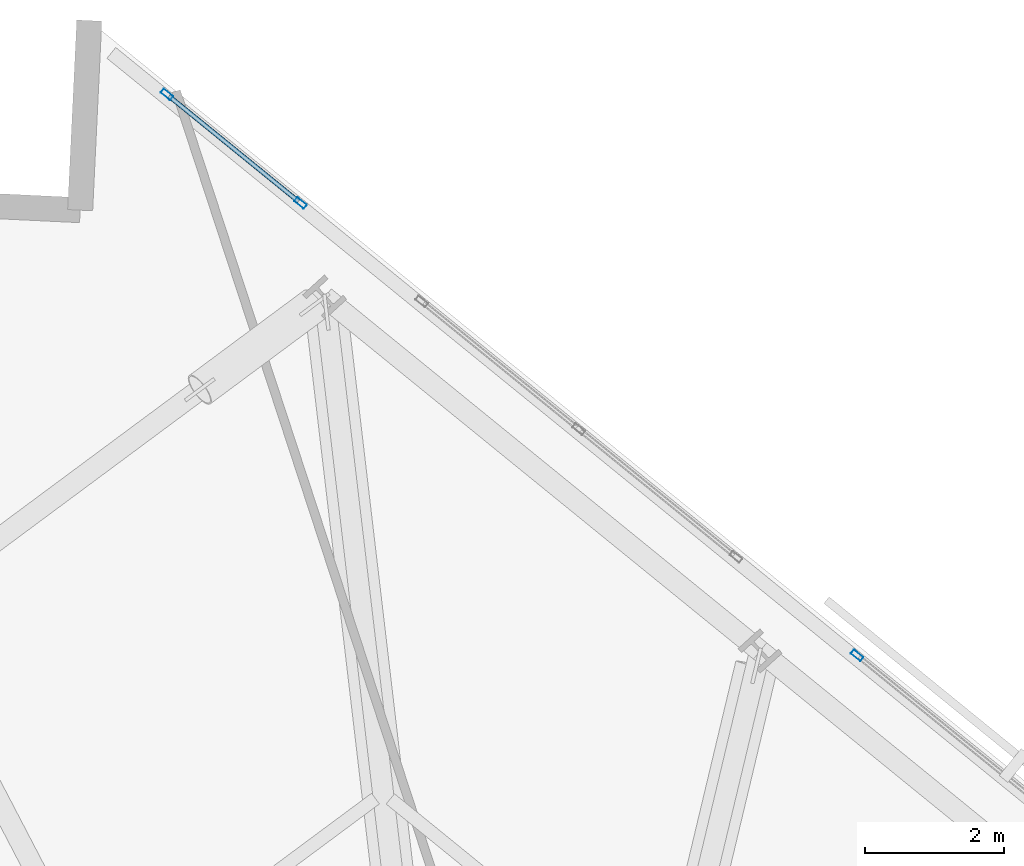
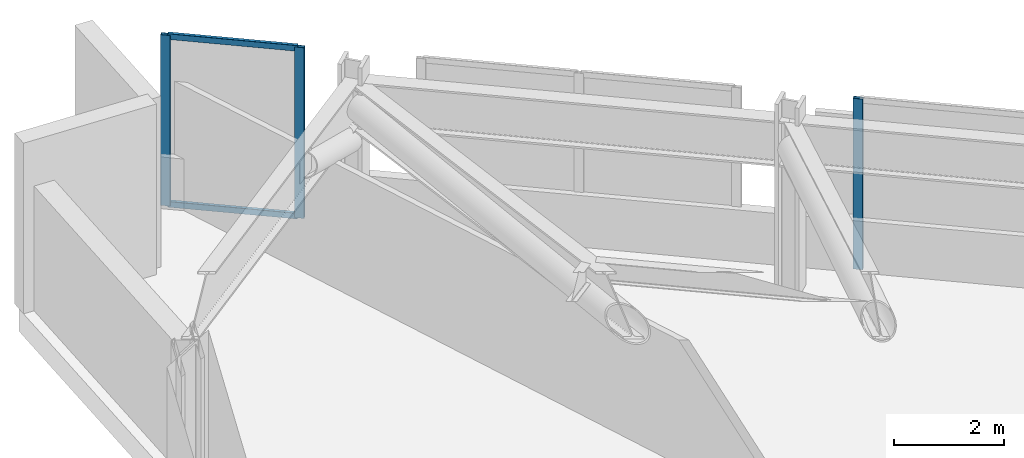
# One storey, part 11 of 18: 5 members, 2 elements without a shape of their own.
"""IFC4 building model written with IfcOpenShell, lengths in metres."""

import ifcopenshell
import ifcopenshell.guid

model = None  # the IFC model being written
_history = None  # IfcOwnerHistory: only IFC2X3 demands one
_inside = {}  # id of a spatial element -> (the spatial element, [elements in it])
_under = {}  # id of a project, library or spatial element -> (it, [spatial elements below it])
_declared = {}  # id of a project -> (the project, [libraries it declares])
_typed = {}  # id of a type object -> (the type object, [elements of that type])
_made_of = {}  # id of a material, layer set ... -> (it, [elements and type objects made of it])


def new_model(schema):
    """Start an empty IFC model of exactly this schema.

    Asked for "IFC4X3", IfcOpenShell would pick the latest addendum, in which some entities
    have other attributes; the version numbers below select the first issue.
    IFC2X3 requires an IfcOwnerHistory on every rooted entity: one is made here for all.
    """
    global model, _history
    if schema == "IFC4X3":
        model = ifcopenshell.file(schema_version=(4, 3, 0, 0))
    else:
        model = ifcopenshell.file(schema=schema)
    _inside.clear()
    _under.clear()
    _declared.clear()
    _typed.clear()
    _made_of.clear()
    _history = None
    if model.schema == "IFC2X3":
        org = make("IfcOrganization", Name="unknown")
        user = make(
            "IfcPersonAndOrganization",
            ThePerson=make("IfcPerson", FamilyName="unknown"),
            TheOrganization=org,
        )
        app = make(
            "IfcApplication",
            ApplicationDeveloper=org,
            Version="unknown",
            ApplicationFullName="unknown",
            ApplicationIdentifier="unknown",
        )
        _history = make(
            "IfcOwnerHistory",
            OwningUser=user,
            OwningApplication=app,
            ChangeAction="ADDED",
            CreationDate=0,
        )
    return model


def make(cls, **values):
    """One entity of the class cls with the attributes given. An attribute that is None is left unset."""
    return model.create_entity(
        cls, **{name: value for name, value in values.items() if value is not None}
    )


def rooted(cls, **values):
    """An entity with a GlobalId (a new one), such as an element, a storey or a relation."""
    return make(cls, GlobalId=ifcopenshell.guid.new(), OwnerHistory=_history, **values)


def si_unit(unit_type, name, prefix=None):
    """IfcSIUnit, for example si_unit("LENGTHUNIT", "METRE", prefix="MILLI")."""
    return make("IfcSIUnit", UnitType=unit_type, Prefix=prefix, Name=name)


def assignment(units):
    """IfcUnitAssignment: the units of a project."""
    return None if units is None else make("IfcUnitAssignment", Units=units)


def point(xyz):
    """IfcCartesianPoint."""
    return None if xyz is None else make("IfcCartesianPoint", Coordinates=xyz)


def direction(xyz):
    """IfcDirection."""
    return None if xyz is None else make("IfcDirection", DirectionRatios=xyz)


def frame(location, z_axis=None, x_axis=None):
    """IfcAxis2Placement3D, a coordinate frame: its origin and axes. An axis left out is left unset."""
    return make(
        "IfcAxis2Placement3D",
        Location=point(location),
        Axis=direction(z_axis),
        RefDirection=direction(x_axis),
    )


def frame_2d(location, x_axis=None):
    """IfcAxis2Placement2D, a coordinate frame in the plane: its origin and x axis."""
    return make(
        "IfcAxis2Placement2D", Location=point(location), RefDirection=direction(x_axis)
    )


def origin():
    """The frame at (0, 0, 0) with its axes left unset."""
    return frame((0.0, 0.0, 0.0))


def origin_2d():
    """The frame at (0, 0) in the plane with its x axis left unset."""
    return frame_2d((0.0, 0.0))


def place(relative_to, where):
    """IfcLocalPlacement: puts the frame where relative to a parent placement (None: the world)."""
    return make(
        "IfcLocalPlacement", PlacementRelTo=relative_to, RelativePlacement=where
    )


def context(
    kind, dimensions, precision=None, world=None, true_north=None, identifier=None
):
    """IfcGeometricRepresentationContext, for example the 3D "Model" context."""
    return make(
        "IfcGeometricRepresentationContext",
        ContextIdentifier=identifier,
        ContextType=kind,
        CoordinateSpaceDimension=dimensions,
        Precision=precision,
        WorldCoordinateSystem=world,
        TrueNorth=true_north,
    )


def subcontext(parent, identifier, kind, view, scale=None):
    """IfcGeometricRepresentationSubContext, for example "Body" below "Model"."""
    return make(
        "IfcGeometricRepresentationSubContext",
        ContextIdentifier=identifier,
        ContextType=kind,
        ParentContext=parent,
        TargetScale=scale,
        TargetView=view,
    )


def project(units=None, contexts=None):
    """IfcProject with its units and contexts."""
    return rooted(
        "IfcProject",
        Name="project",
        RepresentationContexts=contexts,
        UnitsInContext=assignment(units),
    )


def spatial(cls, under=None, at=None, **own):
    """A site, building, storey or space (cls), placed at a placement, below another one or the project."""
    s = rooted(cls, ObjectPlacement=at, **own)
    if under is not None:
        _under.setdefault(under.id(), (under, []))[1].append(s)
    return s


def profile(cls, at=None, kind="AREA", **sizes):
    """A parametric profile (cls). Its sizes go by their IFC names, for example OverallWidth=200.0."""
    return make(cls, ProfileType=kind, Position=at, **sizes)


def hollow_rectangle(**sizes):
    """IfcRectangleHollowProfileDef."""
    return profile("IfcRectangleHollowProfileDef", **sizes)


def extrude(swept, where, along, depth):
    """IfcExtrudedAreaSolid: the profile swept, set in the frame where, extruded along a direction by depth."""
    return make(
        "IfcExtrudedAreaSolid",
        SweptArea=swept,
        Position=where,
        ExtrudedDirection=direction(along),
        Depth=depth,
    )


def shape(context_of_items, identifier, shape_type, items):
    """IfcShapeRepresentation: the items that make up one representation, for example the "Body"."""
    return make(
        "IfcShapeRepresentation",
        ContextOfItems=context_of_items,
        RepresentationIdentifier=identifier,
        RepresentationType=shape_type,
        Items=items,
    )


def material(Name=None, Category=None):
    """IfcMaterial."""
    return make("IfcMaterial", Name=Name, Category=Category)


def material_profile(
    of_material, cross_section, Name=None, Category=None, Priority=None
):
    """IfcMaterialProfile: a cross section and its material."""
    return make(
        "IfcMaterialProfile",
        Name=Name,
        Material=of_material,
        Profile=cross_section,
        Priority=Priority,
        Category=Category,
    )


def profile_set(profiles, Name=None, composite=None):
    """IfcMaterialProfileSet."""
    return make(
        "IfcMaterialProfileSet",
        Name=Name,
        MaterialProfiles=profiles,
        CompositeProfile=composite,
    )


def made_of(thing, what):
    """Note that an element or type object is made of a material, layer set ...; save() writes the relation."""
    if what is not None:
        _made_of.setdefault(what.id(), (what, []))[1].append(thing)
    return thing


def type_object(cls, material=None, **own):
    """A type object (cls), such as IfcWallType, which elements share."""
    return made_of(rooted(cls, **own), material)


def element(
    cls,
    number,
    at=None,
    inside=None,
    cuts=None,
    type_object=None,
    material=None,
    context=None,
    identifier="Body",
    shape_type=None,
    held_by="IfcProductDefinitionShape",
    body=None,
    shapes=None,
    **own,
):
    """One element of the class cls, such as IfcWall. Its Tag is "e" and its number.

    at: its placement. inside: the storey or other place that contains it. cuts: it is an
    opening in that element (IfcRelVoidsElement). A single representation is given by context,
    identifier, shape_type and body (its items); several are given by shapes. held_by: the class
    of the entity that holds the representations. save() writes the other relations.
    """
    e = rooted(cls, Tag="e%d" % number, ObjectPlacement=at, **own)
    if body is not None:
        shapes = [shape(context, identifier, shape_type, body)]
    if shapes is not None:
        e.Representation = make(held_by, Representations=shapes)
    if inside is not None:
        _inside.setdefault(inside.id(), (inside, []))[1].append(e)
    if cuts is not None:
        rooted(
            "IfcRelVoidsElement", RelatingBuildingElement=cuts, RelatedOpeningElement=e
        )
    if type_object is not None:
        _typed.setdefault(type_object.id(), (type_object, []))[1].append(e)
    return made_of(e, material)


def aggregate(whole, parts):
    """IfcRelAggregates: a whole, such as a stair, and the parts it consists of."""
    return rooted("IfcRelAggregates", RelatingObject=whole, RelatedObjects=parts)


def save(model, path):
    """Write the relations noted so far, then the file.

    IfcRelAggregates (storeys below a building ...), IfcRelContainedInSpatialStructure (elements
    in a storey), IfcRelDefinesByType, IfcRelAssociatesMaterial and IfcRelDeclares: one each for
    every whole, place, type object, material and project.
    """
    for whole, parts in _under.values():
        aggregate(whole, parts)
    for where, things in _inside.values():
        rooted(
            "IfcRelContainedInSpatialStructure",
            RelatedElements=things,
            RelatingStructure=where,
        )
    for kind, things in _typed.values():
        rooted("IfcRelDefinesByType", RelatedObjects=things, RelatingType=kind)
    for what, things in _made_of.values():
        rooted("IfcRelAssociatesMaterial", RelatedObjects=things, RelatingMaterial=what)
    for by, libraries in _declared.values():
        rooted("IfcRelDeclares", RelatingContext=by, RelatedDefinitions=libraries)
    model.write(path)


model = new_model("IFC4")

# Units and contexts
model_context = context("Model", 3, precision=1e-05, world=origin(), true_north=direction((0.0, 1.0)))
body_context = subcontext(model_context, "Body", "Model", "MODEL_VIEW")
ifc_project = project(units=[si_unit("LENGTHUNIT", "METRE"), si_unit("AREAUNIT", "SQUARE_METRE"), si_unit("VOLUMEUNIT", "CUBIC_METRE"), si_unit("PLANEANGLEUNIT", "RADIAN"), si_unit("MASSUNIT", "GRAM", prefix="KILO")], contexts=[model_context])

# Site, building, storey
site_placement = place(None, origin())
site = spatial("IfcSite", under=ifc_project, at=site_placement, CompositionType="ELEMENT")
building_placement = place(site_placement, origin())
building = spatial("IfcBuilding", under=site, at=building_placement, Name="Narakoshi Arena Tower", CompositionType="ELEMENT")
storey_placement = place(building_placement, frame((0.0, 0.0, 59.10009765625)))
storey = spatial("IfcBuildingStorey", under=building, at=storey_placement, Name="L15", CompositionType="ELEMENT", Elevation=59.10009765625)

# Curtain wall, member
ifc_material = material(Name="Anodised bronze aluminium 6063-T6", Category="aluminium")
curtain_wall_type = type_object("IfcCurtainWallType", Name="CW-HYP-LOW", PredefinedType="NOTDEFINED", material=ifc_material)
curtain_wall_1_placement = place(storey_placement, origin())
curtain_wall_1 = element("IfcCurtainWall", 1, at=curtain_wall_1_placement, inside=storey, type_object=curtain_wall_type, Name="L15 Folded Hypotenuse Curtain Wall 2-2", PredefinedType="NOTDEFINED")
ifc_material_profile_1 = material_profile(ifc_material, hollow_rectangle(XDim=0.074951171875, YDim=0.179931640625, WallThickness=0.00390625, OuterFilletRadius=0.0048828125, at=origin_2d()), Name="MUL180x75x4")
ifc_profile_set_1 = profile_set([ifc_material_profile_1], Name="Anodised bronze aluminium 6063-T6")
member_type_1 = type_object("IfcMemberType", Name="MEM-MUL-180", PredefinedType="MULLION", material=ifc_profile_set_1)
member_1_placement = place(storey_placement, frame((77.189453125, 72.328125, 0.0), z_axis=(0.0, 0.0, 1.0), x_axis=(-0.630733350892, -0.775999639222, 0.0)))
member_1 = element("IfcMember", 2, at=member_1_placement, type_object=member_type_1, Name="CW-01 mullion 3", PredefinedType="MULLION", context=body_context, shape_type="SweptSolid", body=[
    extrude(hollow_rectangle(XDim=0.074951171875, YDim=0.179931640625, WallThickness=0.00390625, OuterFilletRadius=0.0048828125, at=origin_2d()), origin(), (0.0, 0.0, 1.0), 3.7998046875),
])
aggregate(curtain_wall_1, [member_1])

# Curtain wall, members
curtain_wall_2_placement = place(storey_placement, origin())
curtain_wall_2 = element("IfcCurtainWall", 3, at=curtain_wall_2_placement, inside=storey, type_object=curtain_wall_type, Name="L15 Folded Hypotenuse Curtain Wall 2-4", PredefinedType="NOTDEFINED")
member_2_placement = place(storey_placement, frame((69.18310546875, 78.83544921875, 0.0), z_axis=(0.0, 0.0, 1.0), x_axis=(-0.63072396645, -0.776007266812, 0.0)))
member_2 = element("IfcMember", 4, at=member_2_placement, type_object=member_type_1, Name="CW-01 mullion 1", PredefinedType="MULLION", context=body_context, shape_type="SweptSolid", body=[
    extrude(hollow_rectangle(XDim=0.074951171875, YDim=0.179931640625, WallThickness=0.00390625, OuterFilletRadius=0.0048828125, at=origin_2d()), origin(), (0.0, 0.0, 1.0), 3.7998046875),
])
member_3_placement = place(storey_placement, frame((67.26171875, 80.397216796875, 0.0), z_axis=(0.0, 0.0, 1.0), x_axis=(-0.63072396645, -0.776007266812, 0.0)))
member_3 = element("IfcMember", 5, at=member_3_placement, type_object=member_type_1, Name="CW-01 mullion 2", PredefinedType="MULLION", context=body_context, shape_type="SweptSolid", body=[
    extrude(hollow_rectangle(XDim=0.074951171875, YDim=0.179931640625, WallThickness=0.00390625, OuterFilletRadius=0.0048828125, at=origin_2d()), origin(), (0.0, 0.0, 1.0), 3.7998046875),
])
ifc_material_profile_2 = material_profile(ifc_material, hollow_rectangle(XDim=0.06494140625, YDim=0.1298828125, WallThickness=0.00390625, OuterFilletRadius=0.0048828125, at=origin_2d()), Name="TRN130x65x4")
ifc_profile_set_2 = profile_set([ifc_material_profile_2], Name="Anodised bronze aluminium 6063-T6")
member_type_2 = type_object("IfcMemberType", Name="MEM-TRN-130", PredefinedType="USERDEFINED", material=ifc_profile_set_2)
member_4_placement = place(storey_placement, frame((69.154052734375, 78.859130859375, 0.032470703125), z_axis=(-0.77597401174, 0.630764879416, 0.0), x_axis=(-0.630764879416, -0.77597401174, 0.0)))
member_4 = element("IfcMember", 6, at=member_4_placement, type_object=member_type_2, Name="CW-01 transom 1.1", ObjectType="TRANSOM", PredefinedType="USERDEFINED", context=body_context, shape_type="SweptSolid", body=[
    extrude(hollow_rectangle(XDim=0.06494140625, YDim=0.1298828125, WallThickness=0.00390625, OuterFilletRadius=0.0048828125, at=origin_2d()), origin(), (0.0, 0.0, 1.0), 2.40087890625),
])
member_5_placement = place(storey_placement, frame((69.154052734375, 78.859130859375, 3.767333984375), z_axis=(-0.77597401174, 0.630764879416, 0.0), x_axis=(-0.630764879416, -0.77597401174, 0.0)))
member_5 = element("IfcMember", 7, at=member_5_placement, type_object=member_type_2, Name="CW-01 transom 1.2", ObjectType="TRANSOM", PredefinedType="USERDEFINED", context=body_context, shape_type="SweptSolid", body=[
    extrude(hollow_rectangle(XDim=0.06494140625, YDim=0.1298828125, WallThickness=0.00390625, OuterFilletRadius=0.0048828125, at=origin_2d()), origin(), (0.0, 0.0, 1.0), 2.40087890625),
])
aggregate(curtain_wall_2, [member_2, member_3, member_4, member_5])

save(model, "model.ifc")
